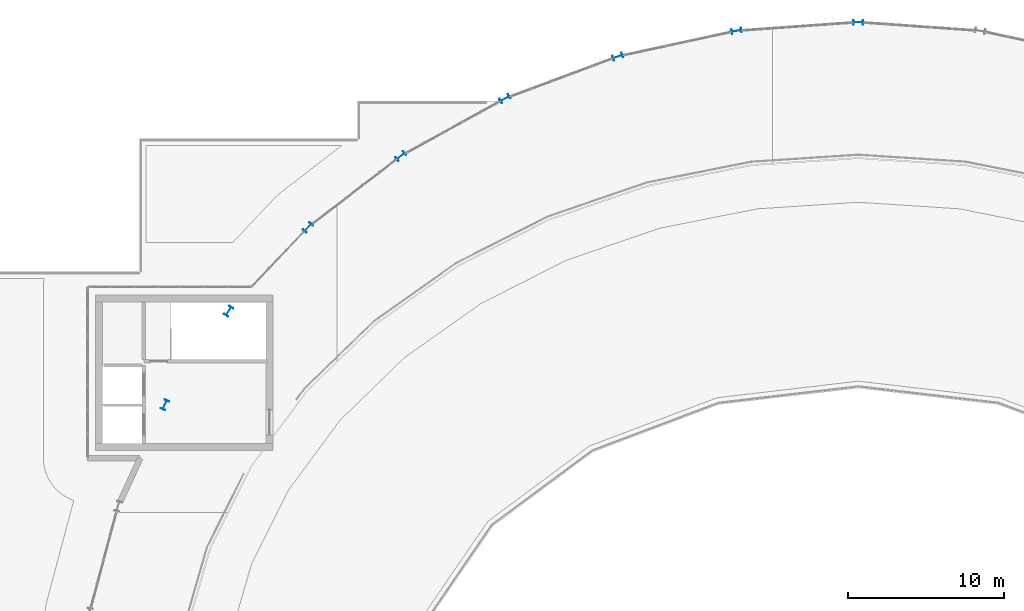
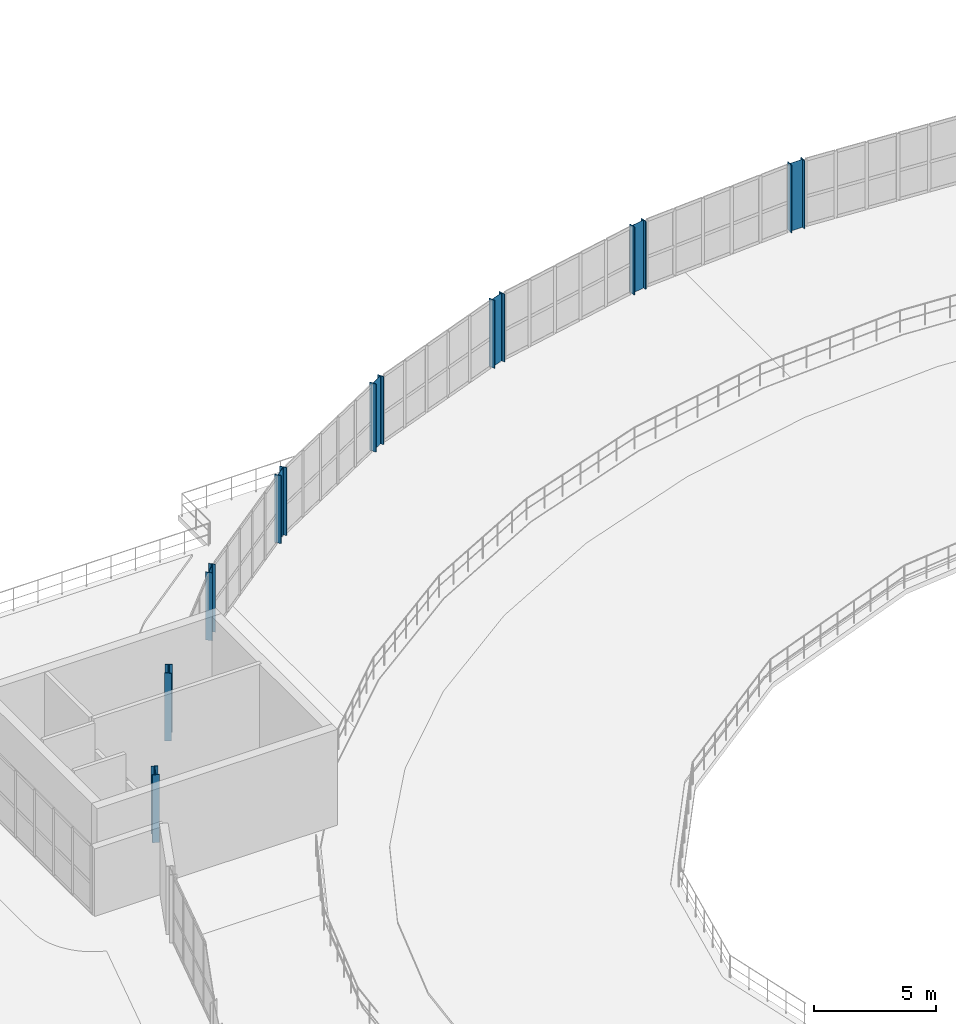
# One storey, part 5 of 40: 8 columns.
"""IFC4 building model written with IfcOpenShell, lengths in metres."""

from ifc_helpers import new_model, si_unit, direction, frame, origin, origin_2d, place, context, subcontext, project, spatial, i_section, extrude, material, material_profile, profile_set, type_object, element, save


model = new_model("IFC4")

# Units and contexts
model_context = context("Model", 3, precision=1e-05, world=origin(), true_north=direction((0.0, 1.0)))
body_context = subcontext(model_context, "Body", "Model", "MODEL_VIEW")
ifc_project = project(units=[si_unit("LENGTHUNIT", "METRE"), si_unit("AREAUNIT", "SQUARE_METRE"), si_unit("VOLUMEUNIT", "CUBIC_METRE"), si_unit("PLANEANGLEUNIT", "RADIAN"), si_unit("MASSUNIT", "GRAM", prefix="KILO")], contexts=[model_context])

# Site, building, storey
site_placement = place(None, origin())
site = spatial("IfcSite", under=ifc_project, at=site_placement, CompositionType="ELEMENT")
building_placement = place(site_placement, origin())
building = spatial("IfcBuilding", under=site, at=building_placement, Name="Glasvene Arena", CompositionType="ELEMENT")
storey_placement = place(building_placement, frame((0.0, 0.0, 24.0)))
storey = spatial("IfcBuildingStorey", under=building, at=storey_placement, Name="L05", CompositionType="ELEMENT", Elevation=24.0)

# Columns
ifc_material = material(Name="Steel S355J2", Category="steel")
ifc_material_profile = material_profile(ifc_material, i_section(OverallWidth=0.300048828125, OverallDepth=0.64990234375, WebThickness=0.01611328125, FlangeThickness=0.031005859375, FilletRadius=0.027099609375, at=origin_2d()), Name="HEB 650")
ifc_profile_set = profile_set([ifc_material_profile], Name="Steel S355J2")
column_type = type_object("IfcColumnType", Name="COL-RING-HEB650", PredefinedType="COLUMN", material=ifc_profile_set)
for number, where, z_axis, x_axis, name in (
    (1, (92.0, 118.0, 0.0), (0.0, 0.0, 1.0), (0.0, 1.0, 0.0), "Bowl ring column R11 L05"),
    (2, (84.17822265625, 117.446044921875, 0.0), (0.0, 0.0, 1.0), (-0.173304404339, 0.984868307662, 0.0), "Bowl ring column R12 L05"),
    (3, (76.54931640625, 115.797607421875, 0.0), (0.0, 0.0, 1.0), (-0.339558864524, 0.94058480613, 0.0), "Bowl ring column R13 L05"),
    (4, (69.300537109375, 113.09521484375, 0.0), (0.0, 0.0, 1.0), (-0.492727341548, 0.87018375467, 0.0), "Bowl ring column R14 L05"),
    (5, (62.610595703125, 109.40576171875, 0.0), (0.0, 0.0, 1.0), (-0.628098877137, 0.778133536444, 0.0), "Bowl ring column R15 L05"),
    (6, (56.644775390625, 104.81982421875, 0.0), (0.0, 0.0, 1.0), (-0.74326159948, 0.669000892928, 0.0), "Bowl ring column R16 L05"),
    (7, (51.54931640625, 99.4501953125, 0.0), (0.0, 0.0, 1.0), (-0.836955398099, 0.547271104292, 0.0), "Bowl ring column R17 L05"),
    (8, (47.44970703125, 93.4296875, 0.0), (0.0, 0.0, 1.0), (-0.909018020308, 0.416756810089, 0.0), "Bowl ring column R18 L05"),
):
    element("IfcColumn", number, at=place(storey_placement, frame(where, z_axis=z_axis, x_axis=x_axis)), inside=storey, type_object=column_type, Name=name, PredefinedType="COLUMN", context=body_context, shape_type="SweptSolid", body=[
        extrude(i_section(OverallWidth=0.300048828125, OverallDepth=0.64990234375, WebThickness=0.01611328125, FlangeThickness=0.031005859375, FilletRadius=0.027099609375, at=origin_2d()), origin(), (0.0, 0.0, 1.0), 3.39990234375),
    ])

save(model, "model.ifc")
